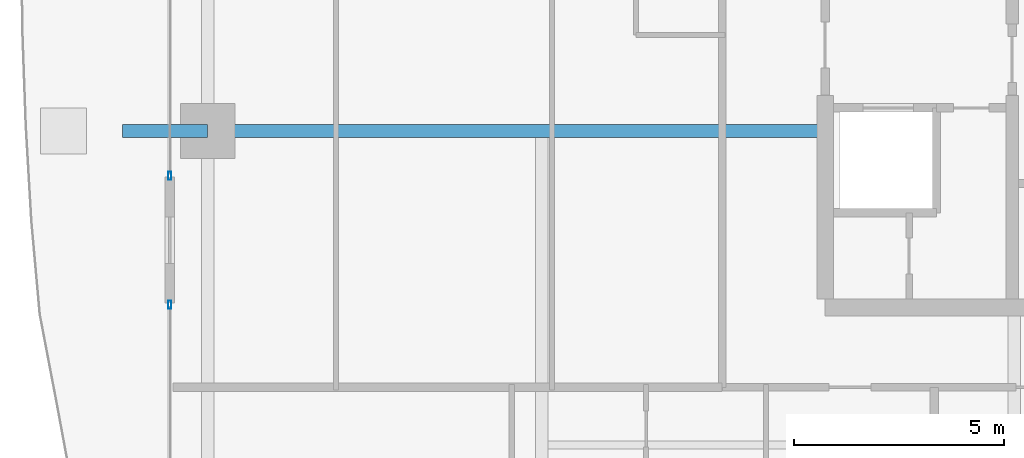
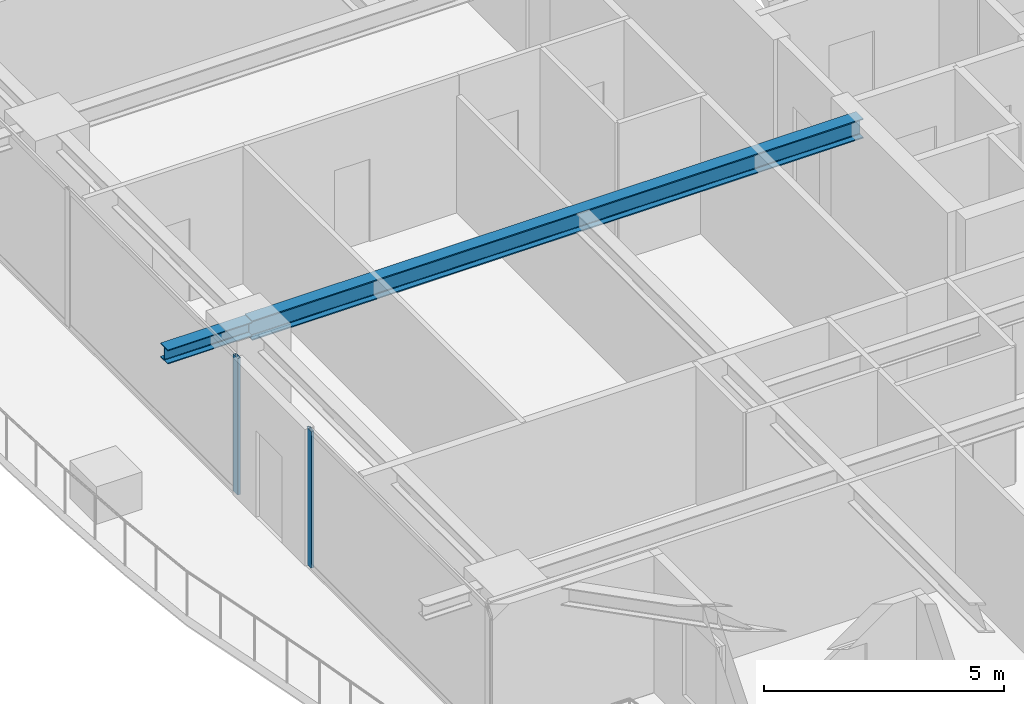
# One storey, part 7 of 35: 2 beams, 2 members, 2 elements without a shape of their own.
"""IFC4 building model written with IfcOpenShell, lengths in metres."""

import ifcopenshell
import ifcopenshell.guid

model = None  # the IFC model being written
_history = None  # IfcOwnerHistory: only IFC2X3 demands one
_inside = {}  # id of a spatial element -> (the spatial element, [elements in it])
_under = {}  # id of a project, library or spatial element -> (it, [spatial elements below it])
_declared = {}  # id of a project -> (the project, [libraries it declares])
_typed = {}  # id of a type object -> (the type object, [elements of that type])
_made_of = {}  # id of a material, layer set ... -> (it, [elements and type objects made of it])


def new_model(schema):
    """Start an empty IFC model of exactly this schema.

    Asked for "IFC4X3", IfcOpenShell would pick the latest addendum, in which some entities
    have other attributes; the version numbers below select the first issue.
    IFC2X3 requires an IfcOwnerHistory on every rooted entity: one is made here for all.
    """
    global model, _history
    if schema == "IFC4X3":
        model = ifcopenshell.file(schema_version=(4, 3, 0, 0))
    else:
        model = ifcopenshell.file(schema=schema)
    _inside.clear()
    _under.clear()
    _declared.clear()
    _typed.clear()
    _made_of.clear()
    _history = None
    if model.schema == "IFC2X3":
        org = make("IfcOrganization", Name="unknown")
        user = make(
            "IfcPersonAndOrganization",
            ThePerson=make("IfcPerson", FamilyName="unknown"),
            TheOrganization=org,
        )
        app = make(
            "IfcApplication",
            ApplicationDeveloper=org,
            Version="unknown",
            ApplicationFullName="unknown",
            ApplicationIdentifier="unknown",
        )
        _history = make(
            "IfcOwnerHistory",
            OwningUser=user,
            OwningApplication=app,
            ChangeAction="ADDED",
            CreationDate=0,
        )
    return model


def make(cls, **values):
    """One entity of the class cls with the attributes given. An attribute that is None is left unset."""
    return model.create_entity(
        cls, **{name: value for name, value in values.items() if value is not None}
    )


def rooted(cls, **values):
    """An entity with a GlobalId (a new one), such as an element, a storey or a relation."""
    return make(cls, GlobalId=ifcopenshell.guid.new(), OwnerHistory=_history, **values)


def si_unit(unit_type, name, prefix=None):
    """IfcSIUnit, for example si_unit("LENGTHUNIT", "METRE", prefix="MILLI")."""
    return make("IfcSIUnit", UnitType=unit_type, Prefix=prefix, Name=name)


def assignment(units):
    """IfcUnitAssignment: the units of a project."""
    return None if units is None else make("IfcUnitAssignment", Units=units)


def point(xyz):
    """IfcCartesianPoint."""
    return None if xyz is None else make("IfcCartesianPoint", Coordinates=xyz)


def direction(xyz):
    """IfcDirection."""
    return None if xyz is None else make("IfcDirection", DirectionRatios=xyz)


def frame(location, z_axis=None, x_axis=None):
    """IfcAxis2Placement3D, a coordinate frame: its origin and axes. An axis left out is left unset."""
    return make(
        "IfcAxis2Placement3D",
        Location=point(location),
        Axis=direction(z_axis),
        RefDirection=direction(x_axis),
    )


def frame_2d(location, x_axis=None):
    """IfcAxis2Placement2D, a coordinate frame in the plane: its origin and x axis."""
    return make(
        "IfcAxis2Placement2D", Location=point(location), RefDirection=direction(x_axis)
    )


def origin():
    """The frame at (0, 0, 0) with its axes left unset."""
    return frame((0.0, 0.0, 0.0))


def origin_2d():
    """The frame at (0, 0) in the plane with its x axis left unset."""
    return frame_2d((0.0, 0.0))


def place(relative_to, where):
    """IfcLocalPlacement: puts the frame where relative to a parent placement (None: the world)."""
    return make(
        "IfcLocalPlacement", PlacementRelTo=relative_to, RelativePlacement=where
    )


def context(
    kind, dimensions, precision=None, world=None, true_north=None, identifier=None
):
    """IfcGeometricRepresentationContext, for example the 3D "Model" context."""
    return make(
        "IfcGeometricRepresentationContext",
        ContextIdentifier=identifier,
        ContextType=kind,
        CoordinateSpaceDimension=dimensions,
        Precision=precision,
        WorldCoordinateSystem=world,
        TrueNorth=true_north,
    )


def subcontext(parent, identifier, kind, view, scale=None):
    """IfcGeometricRepresentationSubContext, for example "Body" below "Model"."""
    return make(
        "IfcGeometricRepresentationSubContext",
        ContextIdentifier=identifier,
        ContextType=kind,
        ParentContext=parent,
        TargetScale=scale,
        TargetView=view,
    )


def project(units=None, contexts=None):
    """IfcProject with its units and contexts."""
    return rooted(
        "IfcProject",
        Name="project",
        RepresentationContexts=contexts,
        UnitsInContext=assignment(units),
    )


def spatial(cls, under=None, at=None, **own):
    """A site, building, storey or space (cls), placed at a placement, below another one or the project."""
    s = rooted(cls, ObjectPlacement=at, **own)
    if under is not None:
        _under.setdefault(under.id(), (under, []))[1].append(s)
    return s


def profile(cls, at=None, kind="AREA", **sizes):
    """A parametric profile (cls). Its sizes go by their IFC names, for example OverallWidth=200.0."""
    return make(cls, ProfileType=kind, Position=at, **sizes)


def hollow_rectangle(**sizes):
    """IfcRectangleHollowProfileDef."""
    return profile("IfcRectangleHollowProfileDef", **sizes)


def i_section(**sizes):
    """IfcIShapeProfileDef."""
    return profile("IfcIShapeProfileDef", **sizes)


def extrude(swept, where, along, depth):
    """IfcExtrudedAreaSolid: the profile swept, set in the frame where, extruded along a direction by depth."""
    return make(
        "IfcExtrudedAreaSolid",
        SweptArea=swept,
        Position=where,
        ExtrudedDirection=direction(along),
        Depth=depth,
    )


def shape(context_of_items, identifier, shape_type, items):
    """IfcShapeRepresentation: the items that make up one representation, for example the "Body"."""
    return make(
        "IfcShapeRepresentation",
        ContextOfItems=context_of_items,
        RepresentationIdentifier=identifier,
        RepresentationType=shape_type,
        Items=items,
    )


def source(mapping_origin, context_of_items, identifier, shape_type, items):
    """IfcRepresentationMap: a shape defined once, which mapped items show again and again."""
    return make(
        "IfcRepresentationMap",
        MappingOrigin=mapping_origin,
        MappedRepresentation=shape(context_of_items, identifier, shape_type, items),
    )


def transform(
    local_origin,
    x_axis=None,
    y_axis=None,
    z_axis=None,
    scale=None,
    scale2=None,
    scale3=None,
    uniform=True,
):
    """IfcCartesianTransformationOperator3D, or its non-uniform kind. x_axis, y_axis, z_axis: its Axis1, 2, 3."""
    if uniform:
        return make(
            "IfcCartesianTransformationOperator3D",
            Axis1=direction(x_axis),
            Axis2=direction(y_axis),
            LocalOrigin=point(local_origin),
            Scale=scale,
            Axis3=direction(z_axis),
        )
    return make(
        "IfcCartesianTransformationOperator3DnonUniform",
        Axis1=direction(x_axis),
        Axis2=direction(y_axis),
        LocalOrigin=point(local_origin),
        Scale=scale,
        Axis3=direction(z_axis),
        Scale2=scale2,
        Scale3=scale3,
    )


def mapped(mapping_source, mapping_target):
    """IfcMappedItem: shows the shape of a source again, moved by a transform."""
    return make(
        "IfcMappedItem", MappingSource=mapping_source, MappingTarget=mapping_target
    )


def material(Name=None, Category=None):
    """IfcMaterial."""
    return make("IfcMaterial", Name=Name, Category=Category)


def layer(
    of_material, thickness, ventilated=None, Name=None, Category=None, Priority=None
):
    """IfcMaterialLayer: one layer of a wall or slab, of a material (None: an air gap)."""
    return make(
        "IfcMaterialLayer",
        Material=of_material,
        LayerThickness=thickness,
        IsVentilated=ventilated,
        Name=Name,
        Category=Category,
        Priority=Priority,
    )


def layer_set(layers, Name=None):
    """IfcMaterialLayerSet."""
    return make("IfcMaterialLayerSet", MaterialLayers=layers, LayerSetName=Name)


def material_profile(
    of_material, cross_section, Name=None, Category=None, Priority=None
):
    """IfcMaterialProfile: a cross section and its material."""
    return make(
        "IfcMaterialProfile",
        Name=Name,
        Material=of_material,
        Profile=cross_section,
        Priority=Priority,
        Category=Category,
    )


def profile_set(profiles, Name=None, composite=None):
    """IfcMaterialProfileSet."""
    return make(
        "IfcMaterialProfileSet",
        Name=Name,
        MaterialProfiles=profiles,
        CompositeProfile=composite,
    )


def made_of(thing, what):
    """Note that an element or type object is made of a material, layer set ...; save() writes the relation."""
    if what is not None:
        _made_of.setdefault(what.id(), (what, []))[1].append(thing)
    return thing


def type_object(cls, material=None, **own):
    """A type object (cls), such as IfcWallType, which elements share."""
    return made_of(rooted(cls, **own), material)


def element(
    cls,
    number,
    at=None,
    inside=None,
    cuts=None,
    type_object=None,
    material=None,
    context=None,
    identifier="Body",
    shape_type=None,
    held_by="IfcProductDefinitionShape",
    body=None,
    shapes=None,
    **own,
):
    """One element of the class cls, such as IfcWall. Its Tag is "e" and its number.

    at: its placement. inside: the storey or other place that contains it. cuts: it is an
    opening in that element (IfcRelVoidsElement). A single representation is given by context,
    identifier, shape_type and body (its items); several are given by shapes. held_by: the class
    of the entity that holds the representations. save() writes the other relations.
    """
    e = rooted(cls, Tag="e%d" % number, ObjectPlacement=at, **own)
    if body is not None:
        shapes = [shape(context, identifier, shape_type, body)]
    if shapes is not None:
        e.Representation = make(held_by, Representations=shapes)
    if inside is not None:
        _inside.setdefault(inside.id(), (inside, []))[1].append(e)
    if cuts is not None:
        rooted(
            "IfcRelVoidsElement", RelatingBuildingElement=cuts, RelatedOpeningElement=e
        )
    if type_object is not None:
        _typed.setdefault(type_object.id(), (type_object, []))[1].append(e)
    return made_of(e, material)


def aggregate(whole, parts):
    """IfcRelAggregates: a whole, such as a stair, and the parts it consists of."""
    return rooted("IfcRelAggregates", RelatingObject=whole, RelatedObjects=parts)


def save(model, path):
    """Write the relations noted so far, then the file.

    IfcRelAggregates (storeys below a building ...), IfcRelContainedInSpatialStructure (elements
    in a storey), IfcRelDefinesByType, IfcRelAssociatesMaterial and IfcRelDeclares: one each for
    every whole, place, type object, material and project.
    """
    for whole, parts in _under.values():
        aggregate(whole, parts)
    for where, things in _inside.values():
        rooted(
            "IfcRelContainedInSpatialStructure",
            RelatedElements=things,
            RelatingStructure=where,
        )
    for kind, things in _typed.values():
        rooted("IfcRelDefinesByType", RelatedObjects=things, RelatingType=kind)
    for what, things in _made_of.values():
        rooted("IfcRelAssociatesMaterial", RelatedObjects=things, RelatingMaterial=what)
    for by, libraries in _declared.values():
        rooted("IfcRelDeclares", RelatingContext=by, RelatedDefinitions=libraries)
    model.write(path)


model = new_model("IFC4")

# Units and contexts
model_context = context("Model", 3, precision=1e-05, world=origin(), true_north=direction((0.0, 1.0)))
body_context = subcontext(model_context, "Body", "Model", "MODEL_VIEW")
ifc_project = project(units=[si_unit("LENGTHUNIT", "METRE"), si_unit("AREAUNIT", "SQUARE_METRE"), si_unit("VOLUMEUNIT", "CUBIC_METRE"), si_unit("PLANEANGLEUNIT", "RADIAN"), si_unit("MASSUNIT", "GRAM", prefix="KILO")], contexts=[model_context])

# Site, building, storey
site_placement = place(None, origin())
site = spatial("IfcSite", under=ifc_project, at=site_placement, CompositionType="ELEMENT")
building_placement = place(site_placement, origin())
building = spatial("IfcBuilding", under=site, at=building_placement, Name="Serunith Strait Residences", CompositionType="ELEMENT")
storey_placement = place(building_placement, frame((0.0, 0.0, 157.64990234375)))
storey = spatial("IfcBuildingStorey", under=building, at=storey_placement, Name="L39", CompositionType="ELEMENT", Elevation=157.64990234375)

# Beams
ifc_material_1 = material(Name="Steel S355J2", Category="steel")
ifc_material_profile_1 = material_profile(ifc_material_1, i_section(OverallWidth=0.300048828125, OverallDepth=0.5, WebThickness=0.014404296875, FlangeThickness=0.028076171875, FilletRadius=0.027099609375, at=origin_2d()), Name="HEB 500")
ifc_profile_set_1 = profile_set([ifc_material_profile_1], Name="Steel S355J2")
beam_type_1 = type_object("IfcBeamType", Name="BM-HEB500", PredefinedType="BEAM", material=ifc_profile_set_1)
shared_shape_1 = source(origin(), body_context, "Body", "SweptSolid", [
    extrude(i_section(OverallWidth=0.300048828125, OverallDepth=0.5, WebThickness=0.014404296875, FlangeThickness=0.028076171875, FilletRadius=0.027099609375, at=origin_2d()), origin(), (0.0, 0.0, 1.0), 14.699951171875),
])
beam_1_placement = place(storey_placement, frame((23.39990234375, 21.0, 3.237060546875), z_axis=(-1.0, 0.0, 0.0), x_axis=(0.0, -1.0, 0.0)))
element("IfcBeam", 1, at=beam_1_placement, inside=storey, type_object=beam_type_1, Name="L39 Primary Floor Girder TC-W2", PredefinedType="BEAM", context=body_context, shape_type="MappedRepresentation", body=[
    mapped(shared_shape_1, transform((0.0, 0.0, 0.0), scale=1.0)),
])
ifc_material_profile_2 = material_profile(ifc_material_1, i_section(OverallWidth=0.300048828125, OverallDepth=0.360107421875, WebThickness=0.012451171875, FlangeThickness=0.0224609375, FilletRadius=0.027099609375, at=origin_2d()), Name="HEB 360")
ifc_profile_set_2 = profile_set([ifc_material_profile_2], Name="Steel S355J2")
beam_type_2 = type_object("IfcBeamType", Name="BM-HEB360", PredefinedType="BEAM", material=ifc_profile_set_2)
shared_shape_2 = source(origin(), body_context, "Body", "SweptSolid", [
    extrude(i_section(OverallWidth=0.300048828125, OverallDepth=0.360107421875, WebThickness=0.012451171875, FlangeThickness=0.0224609375, FilletRadius=0.027099609375, at=origin_2d()), origin(), (0.0, 0.0, 1.0), 2.030029296875),
])
beam_2_placement = place(storey_placement, frame((8.699951171875, 21.0, 3.277099609375), z_axis=(-1.0, 0.0, 0.0), x_axis=(0.0, -1.0, 0.0)))
element("IfcBeam", 2, at=beam_2_placement, inside=storey, type_object=beam_type_2, Name="L40 Cantilevered Balcony Rib TC-W2", PredefinedType="BEAM", context=body_context, shape_type="MappedRepresentation", body=[
    mapped(shared_shape_2, transform((0.0, 0.0, 0.0), scale=1.0)),
])

# Curtain wall, member
ifc_material_2 = material(Name="Pale-Champagne Anodised Aluminium", Category="aluminium")
ifc_layer = layer(ifc_material_2, 0.199951171875, Name="Pale-Champagne Anodised Aluminium")
ifc_layer_set = layer_set([ifc_layer], Name="Pale-Champagne Anodised Aluminium")
curtain_wall_type = type_object("IfcCurtainWallType", Name="CW-SYS2", PredefinedType="NOTDEFINED", material=ifc_layer_set)
curtain_wall_1_placement = place(storey_placement, origin())
curtain_wall_1 = element("IfcCurtainWall", 3, at=curtain_wall_1_placement, inside=storey, type_object=curtain_wall_type, Name="L39 W Unitised Fritted Curtain Wall", PredefinedType="NOTDEFINED")
ifc_material_profile_3 = material_profile(ifc_material_2, hollow_rectangle(XDim=0.070068359375, YDim=0.199951171875, WallThickness=0.00390625, InnerFilletRadius=0.006103515625, OuterFilletRadius=0.010009765625, at=origin_2d()), Name="ALU 200x70x4")
ifc_profile_set_3 = profile_set([ifc_material_profile_3], Name="Pale-Champagne Anodised Aluminium")
member_type = type_object("IfcMemberType", Name="CW-SYS2-MULL", PredefinedType="MULLION", material=ifc_profile_set_3)
shared_shape_3 = source(origin(), body_context, "Body", "SweptSolid", [
    extrude(hollow_rectangle(XDim=0.070068359375, YDim=0.199951171875, WallThickness=0.00390625, InnerFilletRadius=0.006103515625, OuterFilletRadius=0.010009765625, at=origin_2d()), origin(), (0.0, 0.0, 1.0), 3.47509765625),
])
member_1_placement = place(storey_placement, frame((7.800048828125, 19.93505859375, 0.0), z_axis=(0.0, 0.0, 1.0), x_axis=(1.0, 0.0, 0.0)))
member_1 = element("IfcMember", 4, at=member_1_placement, type_object=member_type, Name="CW-2 mullion 4", PredefinedType="MULLION", context=body_context, shape_type="MappedRepresentation", body=[
    mapped(shared_shape_3, transform((0.0, 0.0, 0.0), scale=1.0)),
])
aggregate(curtain_wall_1, [member_1])

curtain_wall_2_placement = place(storey_placement, origin())
curtain_wall_2 = element("IfcCurtainWall", 5, at=curtain_wall_2_placement, inside=storey, type_object=curtain_wall_type, Name="L39 W Unitised Fritted Curtain Wall", PredefinedType="NOTDEFINED")
member_2_placement = place(storey_placement, frame((7.800048828125, 16.864990234375, 0.0), z_axis=(0.0, 0.0, 1.0), x_axis=(1.0, 0.0, 0.0)))
member_2 = element("IfcMember", 6, at=member_2_placement, type_object=member_type, Name="CW-2 mullion 1", PredefinedType="MULLION", context=body_context, shape_type="MappedRepresentation", body=[
    mapped(shared_shape_3, transform((0.0, 0.0, 0.0), scale=1.0)),
])
aggregate(curtain_wall_2, [member_2])

save(model, "model.ifc")
